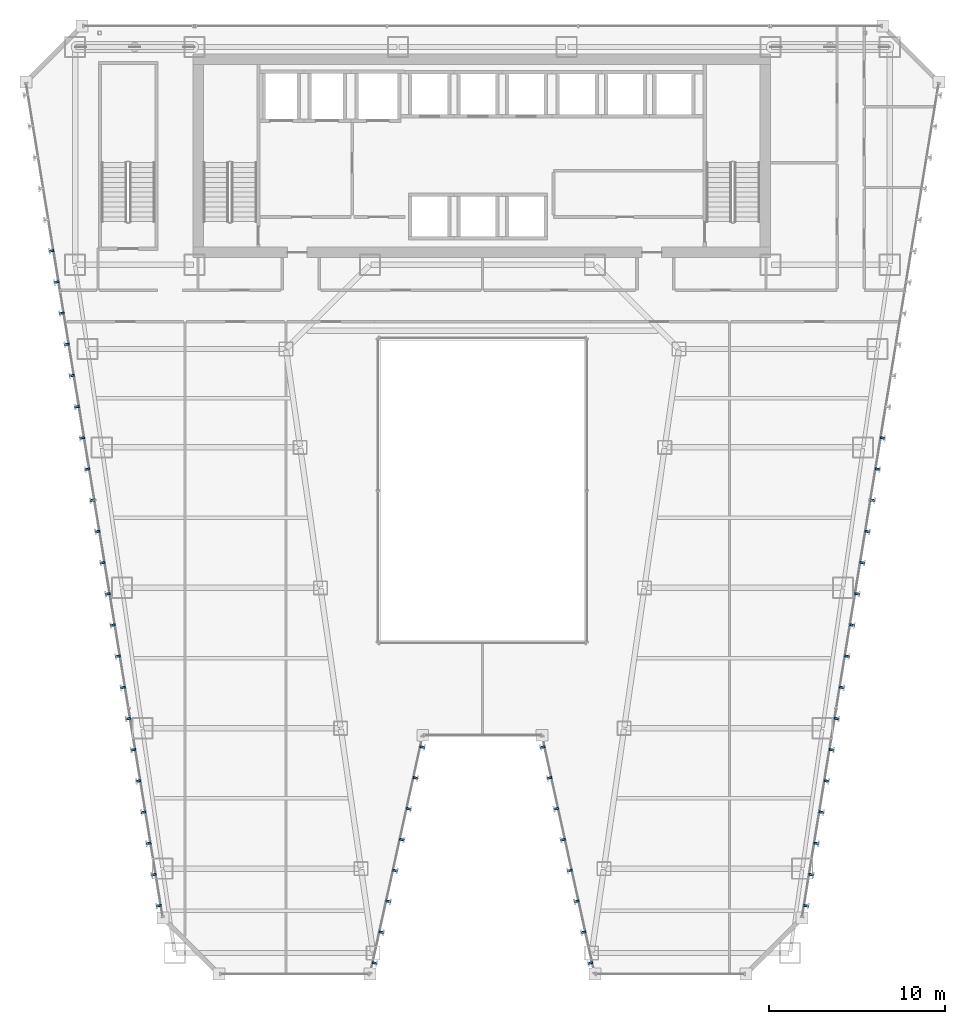
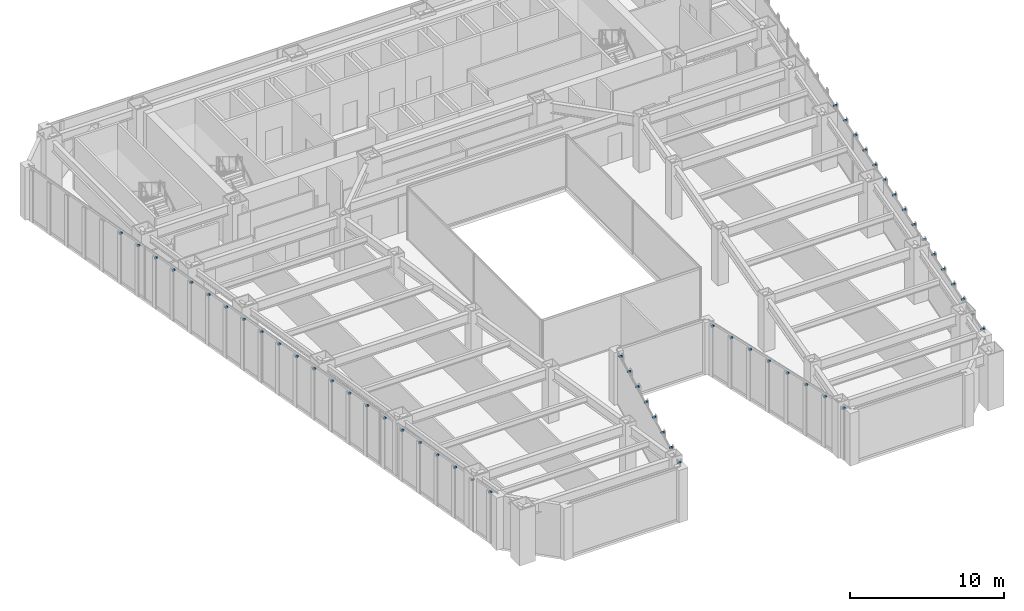
# One storey, part 39 of 47: 54 discrete accessories.
"""IFC4 building model written with IfcOpenShell, lengths in metres."""

from ifc_helpers import new_model, si_unit, direction, frame, origin, origin_2d, place, context, subcontext, project, spatial, rectangle, extrude, material, layer, layer_set, type_object, element, save


model = new_model("IFC4")

# Units and contexts
model_context = context("Model", 3, precision=1e-05, world=origin(), true_north=direction((0.0, 1.0)))
body_context = subcontext(model_context, "Body", "Model", "MODEL_VIEW")
ifc_project = project(units=[si_unit("LENGTHUNIT", "METRE"), si_unit("AREAUNIT", "SQUARE_METRE"), si_unit("VOLUMEUNIT", "CUBIC_METRE"), si_unit("PLANEANGLEUNIT", "RADIAN"), si_unit("MASSUNIT", "GRAM", prefix="KILO")], contexts=[model_context])

# Site, building, storey
site_placement = place(None, origin())
site = spatial("IfcSite", under=ifc_project, at=site_placement, CompositionType="ELEMENT")
building_placement = place(site_placement, origin())
building = spatial("IfcBuilding", under=site, at=building_placement, Name="Saevonmaru Cultural Tower", CompositionType="ELEMENT")
storey_placement = place(building_placement, frame((0.0, 0.0, 42.800048828125)))
storey = spatial("IfcBuildingStorey", under=building, at=storey_placement, Name="L08", CompositionType="ELEMENT", Elevation=42.800048828125)

# Discrete accessories
ifc_material = material(Name="Stainless Steel 316", Category="steel")
ifc_layer = layer(ifc_material, 0.1201171875, Name="Stainless Steel 316")
ifc_layer_set = layer_set([ifc_layer], Name="Stainless Steel 316")
discrete_accessory_type = type_object("IfcDiscreteAccessoryType", Name="ACC-FIN-BRKT", PredefinedType="BRACKET", material=ifc_layer_set)
for number, where, z_axis, x_axis, name in (
    (1, (23.850341796875, 2.624267578125, 3.929931640625), (0.0, 0.0, 1.0), (0.976522126798, -0.215417120661, 0.0), "L08 Bronze Fin Bracket E3-01"),
    (2, (24.238037109375, 4.3818359375, 3.929931640625), (0.0, 0.0, 1.0), (0.976522126798, -0.215417120661, 0.0), "L08 Bronze Fin Bracket E3-02"),
    (3, (24.625732421875, 6.1396484375, 3.929931640625), (0.0, 0.0, 1.0), (0.976522126798, -0.215417120661, 0.0), "L08 Bronze Fin Bracket E3-03"),
    (4, (25.013427734375, 7.8974609375, 3.929931640625), (0.0, 0.0, 1.0), (0.976522126798, -0.215417120661, 0.0), "L08 Bronze Fin Bracket E3-04"),
    (5, (25.4013671875, 9.6552734375, 3.929931640625), (0.0, 0.0, 1.0), (0.976522126798, -0.215417120661, 0.0), "L08 Bronze Fin Bracket E3-05"),
    (6, (25.7890625, 11.412841796875, 3.929931640625), (0.0, 0.0, 1.0), (0.976522126798, -0.215417120661, 0.0), "L08 Bronze Fin Bracket E3-06"),
    (7, (26.1767578125, 13.170654296875, 3.929931640625), (0.0, 0.0, 1.0), (0.976522126798, -0.215417120661, 0.0), "L08 Bronze Fin Bracket E3-07"),
    (8, (26.564453125, 14.928466796875, 3.929931640625), (0.0, 0.0, 1.0), (0.976522126798, -0.215417120661, 0.0), "L08 Bronze Fin Bracket E3-08"),
    (9, (33.435546875, 14.928466796875, 3.929931640625), (0.0, 0.0, 1.0), (-0.976522126798, -0.215417120661, 0.0), "L08 Bronze Fin Bracket E5-01"),
    (10, (33.8232421875, 13.170654296875, 3.929931640625), (0.0, 0.0, 1.0), (-0.976522126798, -0.215417120661, 0.0), "L08 Bronze Fin Bracket E5-02"),
    (11, (34.2109375, 11.412841796875, 3.929931640625), (0.0, 0.0, 1.0), (-0.976522126798, -0.215417120661, 0.0), "L08 Bronze Fin Bracket E5-03"),
    (12, (34.5986328125, 9.6552734375, 3.929931640625), (0.0, 0.0, 1.0), (-0.976522126798, -0.215417120661, 0.0), "L08 Bronze Fin Bracket E5-04"),
    (13, (34.986572265625, 7.8974609375, 3.929931640625), (0.0, 0.0, 1.0), (-0.976522126798, -0.215417120661, 0.0), "L08 Bronze Fin Bracket E5-05"),
    (14, (35.374267578125, 6.1396484375, 3.929931640625), (0.0, 0.0, 1.0), (-0.976522126798, -0.215417120661, 0.0), "L08 Bronze Fin Bracket E5-06"),
    (15, (35.761962890625, 4.3818359375, 3.929931640625), (0.0, 0.0, 1.0), (-0.976522126798, -0.215417120661, 0.0), "L08 Bronze Fin Bracket E5-07"),
    (16, (36.149658203125, 2.624267578125, 3.929931640625), (0.0, 0.0, 1.0), (-0.976522126798, -0.215417120661, 0.0), "L08 Bronze Fin Bracket E5-08"),
    (17, (48.424560546875, 5.89013671875, 3.929931640625), (0.0, 0.0, 1.0), (0.986827496189, -0.161776057456, 0.0), "L08 Bronze Fin Bracket E8-01"),
    (18, (48.715576171875, 7.66650390625, 3.929931640625), (0.0, 0.0, 1.0), (0.986827496189, -0.161776057456, 0.0), "L08 Bronze Fin Bracket E8-02"),
    (19, (49.006591796875, 9.44287109375, 3.929931640625), (0.0, 0.0, 1.0), (0.986827496189, -0.161776057456, 0.0), "L08 Bronze Fin Bracket E8-03"),
    (20, (49.2978515625, 11.218994140625, 3.929931640625), (0.0, 0.0, 1.0), (0.986827496189, -0.161776057456, 0.0), "L08 Bronze Fin Bracket E8-04"),
    (21, (49.5888671875, 12.995361328125, 3.929931640625), (0.0, 0.0, 1.0), (0.986827496189, -0.161776057456, 0.0), "L08 Bronze Fin Bracket E8-05"),
    (22, (49.8798828125, 14.771728515625, 3.929931640625), (0.0, 0.0, 1.0), (0.986827496189, -0.161776057456, 0.0), "L08 Bronze Fin Bracket E8-06"),
    (23, (50.1708984375, 16.548095703125, 3.929931640625), (0.0, 0.0, 1.0), (0.986827496189, -0.161776057456, 0.0), "L08 Bronze Fin Bracket E8-07"),
    (24, (50.462158203125, 18.324462890625, 3.929931640625), (0.0, 0.0, 1.0), (0.986827496189, -0.161776057456, 0.0), "L08 Bronze Fin Bracket E8-08"),
    (25, (50.753173828125, 20.1005859375, 3.929931640625), (0.0, 0.0, 1.0), (0.986827496189, -0.161776057456, 0.0), "L08 Bronze Fin Bracket E8-09"),
    (26, (51.044189453125, 21.876953125, 3.929931640625), (0.0, 0.0, 1.0), (0.986827496189, -0.161776057456, 0.0), "L08 Bronze Fin Bracket E8-10"),
    (27, (51.335205078125, 23.6533203125, 3.929931640625), (0.0, 0.0, 1.0), (0.986827496189, -0.161776057456, 0.0), "L08 Bronze Fin Bracket E8-11"),
    (28, (51.62646484375, 25.4296875, 3.929931640625), (0.0, 0.0, 1.0), (0.986827496189, -0.161776057456, 0.0), "L08 Bronze Fin Bracket E8-12"),
    (29, (51.91748046875, 27.205810546875, 3.929931640625), (0.0, 0.0, 1.0), (0.986827496189, -0.161776057456, 0.0), "L08 Bronze Fin Bracket E8-13"),
    (30, (52.20849609375, 28.982177734375, 3.929931640625), (0.0, 0.0, 1.0), (0.986827496189, -0.161776057456, 0.0), "L08 Bronze Fin Bracket E8-14"),
    (31, (52.49951171875, 30.758544921875, 3.929931640625), (0.0, 0.0, 1.0), (0.986827496189, -0.161776057456, 0.0), "L08 Bronze Fin Bracket E8-15"),
    (32, (52.790771484375, 32.534912109375, 3.929931640625), (0.0, 0.0, 1.0), (0.986827496189, -0.161776057456, 0.0), "L08 Bronze Fin Bracket E8-16"),
    (33, (5.462890625, 43.192626953125, 3.929931640625), (0.0, 0.0, 1.0), (-0.986827496189, -0.161776057456, 0.0), "L08 Bronze Fin Bracket E12-06"),
    (34, (5.75390625, 41.41650390625, 3.929931640625), (0.0, 0.0, 1.0), (-0.986827496189, -0.161776057456, 0.0), "L08 Bronze Fin Bracket E12-07"),
    (35, (6.044921875, 39.64013671875, 3.929931640625), (0.0, 0.0, 1.0), (-0.986827496189, -0.161776057456, 0.0), "L08 Bronze Fin Bracket E12-08"),
    (36, (6.336181640625, 37.86376953125, 3.929931640625), (0.0, 0.0, 1.0), (-0.986827496189, -0.161776057456, 0.0), "L08 Bronze Fin Bracket E12-09"),
    (37, (6.627197265625, 36.08740234375, 3.929931640625), (0.0, 0.0, 1.0), (-0.986827496189, -0.161776057456, 0.0), "L08 Bronze Fin Bracket E12-10"),
    (38, (6.918212890625, 34.31103515625, 3.929931640625), (0.0, 0.0, 1.0), (-0.986827496189, -0.161776057456, 0.0), "L08 Bronze Fin Bracket E12-11"),
    (39, (7.209228515625, 32.534912109375, 3.929931640625), (0.0, 0.0, 1.0), (-0.986827496189, -0.161776057456, 0.0), "L08 Bronze Fin Bracket E12-12"),
    (40, (7.50048828125, 30.758544921875, 3.929931640625), (0.0, 0.0, 1.0), (-0.986827496189, -0.161776057456, 0.0), "L08 Bronze Fin Bracket E12-13"),
    (41, (7.79150390625, 28.982177734375, 3.929931640625), (0.0, 0.0, 1.0), (-0.986827496189, -0.161776057456, 0.0), "L08 Bronze Fin Bracket E12-14"),
    (42, (8.08251953125, 27.205810546875, 3.929931640625), (0.0, 0.0, 1.0), (-0.986827496189, -0.161776057456, 0.0), "L08 Bronze Fin Bracket E12-15"),
    (43, (8.37353515625, 25.4296875, 3.929931640625), (0.0, 0.0, 1.0), (-0.986827496189, -0.161776057456, 0.0), "L08 Bronze Fin Bracket E12-16"),
    (44, (8.664794921875, 23.6533203125, 3.929931640625), (0.0, 0.0, 1.0), (-0.986827496189, -0.161776057456, 0.0), "L08 Bronze Fin Bracket E12-17"),
    (45, (8.955810546875, 21.876953125, 3.929931640625), (0.0, 0.0, 1.0), (-0.986827496189, -0.161776057456, 0.0), "L08 Bronze Fin Bracket E12-18"),
    (46, (9.246826171875, 20.1005859375, 3.929931640625), (0.0, 0.0, 1.0), (-0.986827496189, -0.161776057456, 0.0), "L08 Bronze Fin Bracket E12-19"),
    (47, (9.537841796875, 18.324462890625, 3.929931640625), (0.0, 0.0, 1.0), (-0.986827496189, -0.161776057456, 0.0), "L08 Bronze Fin Bracket E12-20"),
    (48, (9.8291015625, 16.548095703125, 3.929931640625), (0.0, 0.0, 1.0), (-0.986827496189, -0.161776057456, 0.0), "L08 Bronze Fin Bracket E12-21"),
    (49, (10.1201171875, 14.771728515625, 3.929931640625), (0.0, 0.0, 1.0), (-0.986827496189, -0.161776057456, 0.0), "L08 Bronze Fin Bracket E12-22"),
    (50, (10.4111328125, 12.995361328125, 3.929931640625), (0.0, 0.0, 1.0), (-0.986827496189, -0.161776057456, 0.0), "L08 Bronze Fin Bracket E12-23"),
    (51, (10.7021484375, 11.218994140625, 3.929931640625), (0.0, 0.0, 1.0), (-0.986827496189, -0.161776057456, 0.0), "L08 Bronze Fin Bracket E12-24"),
    (52, (10.993408203125, 9.44287109375, 3.929931640625), (0.0, 0.0, 1.0), (-0.986827496189, -0.161776057456, 0.0), "L08 Bronze Fin Bracket E12-25"),
    (53, (11.284423828125, 7.66650390625, 3.929931640625), (0.0, 0.0, 1.0), (-0.986827496189, -0.161776057456, 0.0), "L08 Bronze Fin Bracket E12-26"),
    (54, (11.575439453125, 5.89013671875, 3.929931640625), (0.0, 0.0, 1.0), (-0.986827496189, -0.161776057456, 0.0), "L08 Bronze Fin Bracket E12-27"),
):
    element("IfcDiscreteAccessory", number, at=place(storey_placement, frame(where, z_axis=z_axis, x_axis=x_axis)), inside=storey, type_object=discrete_accessory_type, Name=name, PredefinedType="BRACKET", context=body_context, shape_type="SweptSolid", body=[
        extrude(rectangle(XDim=0.260009765625, YDim=0.1201171875, at=origin_2d()), origin(), (0.0, 0.0, 1.0), 0.1201171875),
    ])

save(model, "model.ifc")
